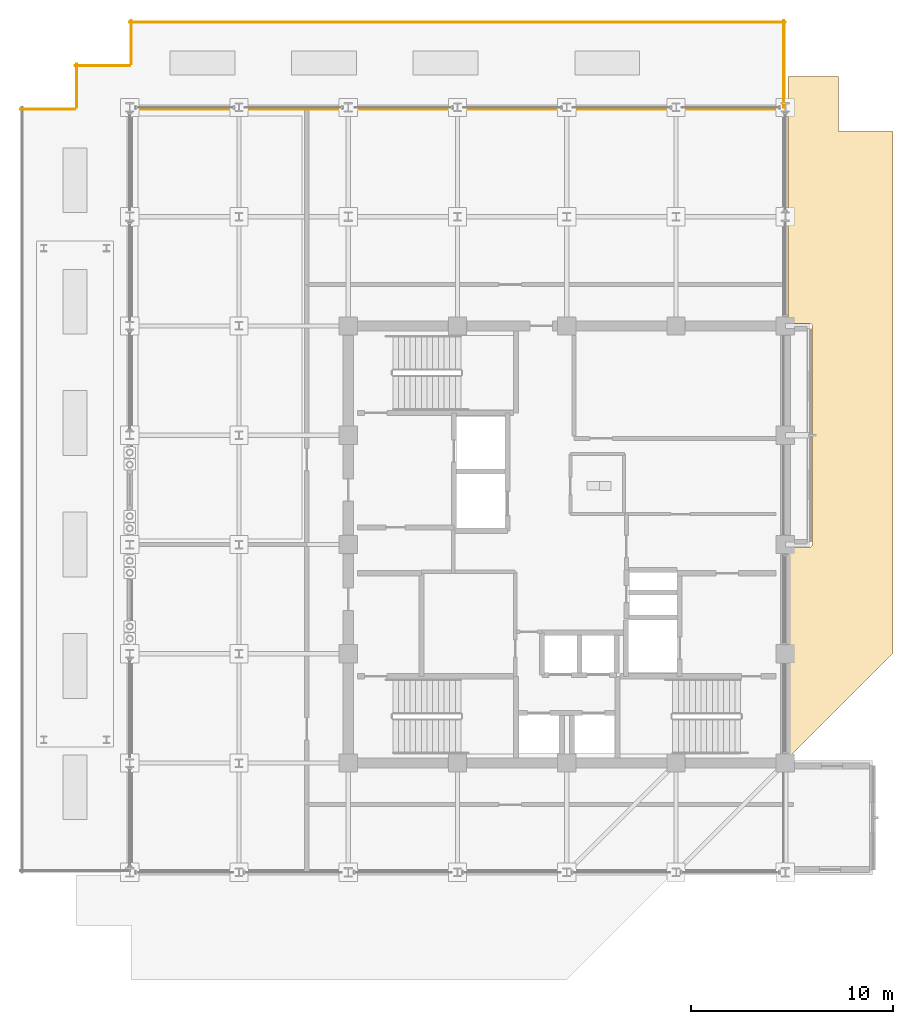
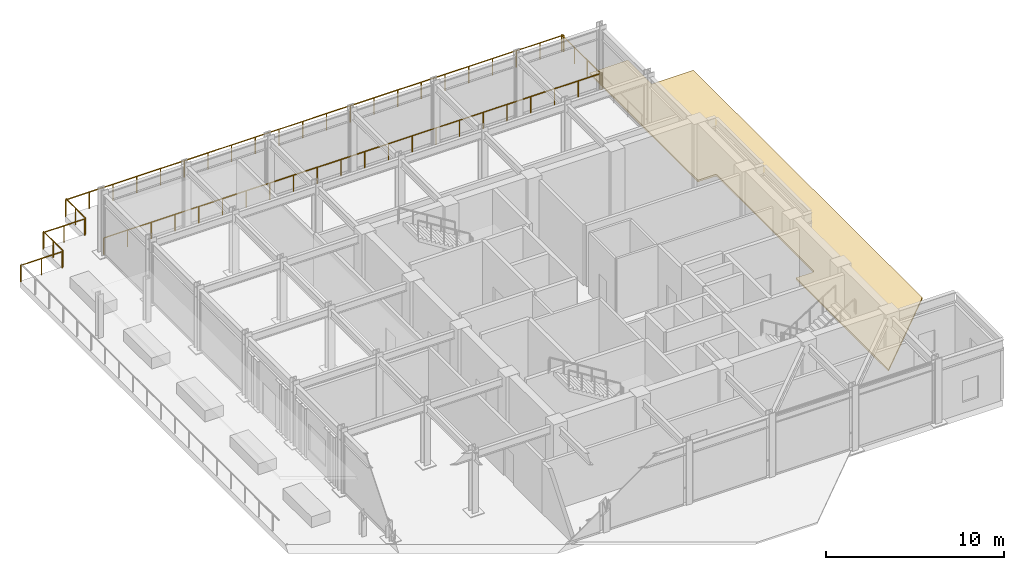
# One storey, part 20 of 22: 7 railings, 1 covering.
"""IFC4 building model written with IfcOpenShell, lengths in metres."""

from ifc_helpers import new_model, si_unit, direction, frame, origin, origin_2d, place, context, subcontext, project, spatial, polyline, circle, outline, extrude, material, layer, layer_set, type_object, element, save


model = new_model("IFC4")

# Units and contexts
model_context = context("Model", 3, precision=1e-05, world=origin(), true_north=direction((0.0, 1.0)))
body_context = subcontext(model_context, "Body", "Model", "MODEL_VIEW")
ifc_project = project(units=[si_unit("LENGTHUNIT", "METRE"), si_unit("AREAUNIT", "SQUARE_METRE"), si_unit("VOLUMEUNIT", "CUBIC_METRE"), si_unit("PLANEANGLEUNIT", "RADIAN"), si_unit("MASSUNIT", "GRAM", prefix="KILO")], contexts=[model_context])

# Site, building, storey
site_placement = place(None, origin())
site = spatial("IfcSite", under=ifc_project, at=site_placement, CompositionType="ELEMENT")
building_placement = place(site_placement, origin())
building = spatial("IfcBuilding", under=site, at=building_placement, Name="Surkhivell Harbour Commons", CompositionType="ELEMENT")
storey_placement = place(building_placement, frame((0.0, 0.0, 337.5)))
storey = spatial("IfcBuildingStorey", under=building, at=storey_placement, Name="L88", CompositionType="ELEMENT", Elevation=337.5)

# Covering
ifc_material_1 = material(Name="Inverted elastomeric waterproofing membrane and rigid insulation", Category="other")
ifc_layer = layer(ifc_material_1, 0.1201171875)
ifc_layer_set = layer_set([ifc_layer], Name="Inverted elastomeric waterproofing membrane and rigid insulation")
covering_type = type_object("IfcCoveringType", Name="COV-ROOF-MEM", PredefinedType="ROOFING", material=ifc_layer_set)
covering_placement = place(storey_placement, origin())
element("IfcCovering", 1, at=covering_placement, inside=storey, type_object=covering_type, Name="L88 Setback Waterproofing Roof Membrane 2-1", PredefinedType="ROOFING", context=body_context, shape_type="SweptSolid", body=[
    extrude(outline(polyline([(10.929931640625, 23.1201171875), (10.929931640625, 10.929931640625), (12.001953125, 10.929931640625), (12.0126953125, 10.929443359375), (12.025390625, 10.927490234375), (12.037841796875, 10.924560546875), (12.0498046875, 10.920166015625), (12.061279296875, 10.914794921875), (12.072265625, 10.908203125), (12.08251953125, 10.900634765625), (12.092041015625, 10.89208984375), (12.1005859375, 10.882568359375), (12.108154296875, 10.872314453125), (12.11474609375, 10.861328125), (12.1201171875, 10.849853515625), (12.12451171875, 10.837890625), (12.127685546875, 10.825439453125), (12.12939453125, 10.812744140625), (12.1298828125, 10.802001953125), (12.1298828125, -0.001953125), (12.12939453125, -0.0126953125), (12.127685546875, -0.025390625), (12.12451171875, -0.037841796875), (12.1201171875, -0.0498046875), (12.11474609375, -0.061279296875), (12.108154296875, -0.072265625), (12.1005859375, -0.08251953125), (12.092041015625, -0.092041015625), (12.08251953125, -0.1005859375), (12.072265625, -0.108154296875), (12.061279296875, -0.11474609375), (12.0498046875, -0.1201171875), (12.037841796875, -0.12451171875), (12.025390625, -0.127685546875), (12.0126953125, -0.12939453125), (12.001953125, -0.1298828125), (10.929931640625, -0.1298828125), (10.929931640625, -10.556884765625), (16.1201171875, -5.366943359375), (16.1201171875, 20.419921875), (13.419921875, 20.419921875), (13.419921875, 23.1201171875), (10.929931640625, 23.1201171875)])), origin(), (0.0, 0.0, 1.0), 0.1201171875),
])

# Railings
ifc_material_2 = material(Name="Laminated safety glass and stainless steel S355 balustrade", Category="steel")
railing_type = type_object("IfcRailingType", Name="RAL-BAL-1150", PredefinedType="BALUSTRADE", material=ifc_material_2)
railing_1_placement = place(storey_placement, frame((10.800048828125, 21.510009765625, 0.0)))
element("IfcRailing", 2, at=railing_1_placement, inside=storey, type_object=railing_type, Name="L88 Perimeter Safety Guard 03", PredefinedType="BALUSTRADE", context=body_context, shape_type="SweptSolid", body=[
    extrude(circle(Radius=0.02392578125, at=origin_2d()), frame((0.0, 0.0, 1.1259765625), z_axis=(-1.0, 0.0, 0.0), x_axis=(0.0, -1.0, 0.0)), (0.0, 0.0, 1.0), 32.400146484375),
    extrude(circle(Radius=0.02099609375, at=origin_2d()), origin(), (0.0, 0.0, 1.0), 1.101806640625),
    extrude(circle(Radius=0.02099609375, at=origin_2d()), frame((-1.54296875, 0.0, 0.0)), (0.0, 0.0, 1.0), 1.101806640625),
    extrude(circle(Radius=0.02099609375, at=origin_2d()), frame((-3.085693359375, 0.0, 0.0)), (0.0, 0.0, 1.0), 1.101806640625),
    extrude(circle(Radius=0.02099609375, at=origin_2d()), frame((-4.628662109375, 0.0, 0.0)), (0.0, 0.0, 1.0), 1.101806640625),
    extrude(circle(Radius=0.02099609375, at=origin_2d()), frame((-6.17138671875, 0.0, 0.0)), (0.0, 0.0, 1.0), 1.101806640625),
    extrude(circle(Radius=0.02099609375, at=origin_2d()), frame((-7.71435546875, 0.0, 0.0)), (0.0, 0.0, 1.0), 1.101806640625),
    extrude(circle(Radius=0.02099609375, at=origin_2d()), frame((-9.257080078125, 0.0, 0.0)), (0.0, 0.0, 1.0), 1.101806640625),
    extrude(circle(Radius=0.02099609375, at=origin_2d()), frame((-10.800048828125, 0.0, 0.0)), (0.0, 0.0, 1.0), 1.101806640625),
    extrude(circle(Radius=0.02099609375, at=origin_2d()), frame((-12.343017578125, 0.0, 0.0)), (0.0, 0.0, 1.0), 1.101806640625),
    extrude(circle(Radius=0.02099609375, at=origin_2d()), frame((-13.8857421875, 0.0, 0.0)), (0.0, 0.0, 1.0), 1.101806640625),
    extrude(circle(Radius=0.02099609375, at=origin_2d()), frame((-15.4287109375, 0.0, 0.0)), (0.0, 0.0, 1.0), 1.101806640625),
    extrude(circle(Radius=0.02099609375, at=origin_2d()), frame((-16.971435546875, 0.0, 0.0)), (0.0, 0.0, 1.0), 1.101806640625),
    extrude(circle(Radius=0.02099609375, at=origin_2d()), frame((-18.514404296875, 0.0, 0.0)), (0.0, 0.0, 1.0), 1.101806640625),
    extrude(circle(Radius=0.02099609375, at=origin_2d()), frame((-20.05712890625, 0.0, 0.0)), (0.0, 0.0, 1.0), 1.101806640625),
    extrude(circle(Radius=0.02099609375, at=origin_2d()), frame((-21.60009765625, 0.0, 0.0)), (0.0, 0.0, 1.0), 1.101806640625),
    extrude(circle(Radius=0.02099609375, at=origin_2d()), frame((-23.14306640625, 0.0, 0.0)), (0.0, 0.0, 1.0), 1.101806640625),
    extrude(circle(Radius=0.02099609375, at=origin_2d()), frame((-24.685791015625, 0.0, 0.0)), (0.0, 0.0, 1.0), 1.101806640625),
    extrude(circle(Radius=0.02099609375, at=origin_2d()), frame((-26.228759765625, 0.0, 0.0)), (0.0, 0.0, 1.0), 1.101806640625),
    extrude(circle(Radius=0.02099609375, at=origin_2d()), frame((-27.771484375, 0.0, 0.0)), (0.0, 0.0, 1.0), 1.101806640625),
    extrude(circle(Radius=0.02099609375, at=origin_2d()), frame((-29.314453125, 0.0, 0.0)), (0.0, 0.0, 1.0), 1.101806640625),
    extrude(circle(Radius=0.02099609375, at=origin_2d()), frame((-30.857177734375, 0.0, 0.0)), (0.0, 0.0, 1.0), 1.101806640625),
    extrude(circle(Radius=0.02099609375, at=origin_2d()), frame((-32.400146484375, 0.0, 0.0)), (0.0, 0.0, 1.0), 1.101806640625),
])
railing_2_placement = place(storey_placement, frame((10.719970703125, 21.60009765625, 0.0)))
element("IfcRailing", 3, at=railing_2_placement, inside=storey, type_object=railing_type, Name="L88 Crown Sky-Garden Balustrade 04", PredefinedType="BALUSTRADE", context=body_context, shape_type="SweptSolid", body=[
    extrude(circle(Radius=0.02392578125, at=origin_2d()), frame((0.0, 0.0, 1.1259765625), z_axis=(0.0, 1.0, 0.0), x_axis=(-1.0, 0.0, 0.0)), (0.0, 0.0, 1.0), 4.2998046875),
    extrude(circle(Radius=0.02099609375, at=origin_2d()), origin(), (0.0, 0.0, 1.0), 1.101806640625),
    extrude(circle(Radius=0.02099609375, at=origin_2d()), frame((0.0, 1.433349609375, 0.0)), (0.0, 0.0, 1.0), 1.101806640625),
    extrude(circle(Radius=0.02099609375, at=origin_2d()), frame((0.0, 2.866455078125, 0.0)), (0.0, 0.0, 1.0), 1.101806640625),
    extrude(circle(Radius=0.02099609375, at=origin_2d()), frame((0.0, 4.2998046875, 0.0)), (0.0, 0.0, 1.0), 1.101806640625),
])
railing_3_placement = place(storey_placement, frame((10.800048828125, 25.820068359375, 0.0)))
element("IfcRailing", 4, at=railing_3_placement, inside=storey, type_object=railing_type, Name="L88 Crown Sky-Garden Balustrade 05", PredefinedType="BALUSTRADE", context=body_context, shape_type="SweptSolid", body=[
    extrude(circle(Radius=0.02392578125, at=origin_2d()), frame((0.0, 0.0, 1.1259765625), z_axis=(-1.0, 0.0, 0.0), x_axis=(0.0, -1.0, 0.0)), (0.0, 0.0, 1.0), 32.400146484375),
    extrude(circle(Radius=0.02099609375, at=origin_2d()), origin(), (0.0, 0.0, 1.0), 1.101806640625),
    extrude(circle(Radius=0.02099609375, at=origin_2d()), frame((-1.54296875, 0.0, 0.0)), (0.0, 0.0, 1.0), 1.101806640625),
    extrude(circle(Radius=0.02099609375, at=origin_2d()), frame((-3.085693359375, 0.0, 0.0)), (0.0, 0.0, 1.0), 1.101806640625),
    extrude(circle(Radius=0.02099609375, at=origin_2d()), frame((-4.628662109375, 0.0, 0.0)), (0.0, 0.0, 1.0), 1.101806640625),
    extrude(circle(Radius=0.02099609375, at=origin_2d()), frame((-6.17138671875, 0.0, 0.0)), (0.0, 0.0, 1.0), 1.101806640625),
    extrude(circle(Radius=0.02099609375, at=origin_2d()), frame((-7.71435546875, 0.0, 0.0)), (0.0, 0.0, 1.0), 1.101806640625),
    extrude(circle(Radius=0.02099609375, at=origin_2d()), frame((-9.257080078125, 0.0, 0.0)), (0.0, 0.0, 1.0), 1.101806640625),
    extrude(circle(Radius=0.02099609375, at=origin_2d()), frame((-10.800048828125, 0.0, 0.0)), (0.0, 0.0, 1.0), 1.101806640625),
    extrude(circle(Radius=0.02099609375, at=origin_2d()), frame((-12.343017578125, 0.0, 0.0)), (0.0, 0.0, 1.0), 1.101806640625),
    extrude(circle(Radius=0.02099609375, at=origin_2d()), frame((-13.8857421875, 0.0, 0.0)), (0.0, 0.0, 1.0), 1.101806640625),
    extrude(circle(Radius=0.02099609375, at=origin_2d()), frame((-15.4287109375, 0.0, 0.0)), (0.0, 0.0, 1.0), 1.101806640625),
    extrude(circle(Radius=0.02099609375, at=origin_2d()), frame((-16.971435546875, 0.0, 0.0)), (0.0, 0.0, 1.0), 1.101806640625),
    extrude(circle(Radius=0.02099609375, at=origin_2d()), frame((-18.514404296875, 0.0, 0.0)), (0.0, 0.0, 1.0), 1.101806640625),
    extrude(circle(Radius=0.02099609375, at=origin_2d()), frame((-20.05712890625, 0.0, 0.0)), (0.0, 0.0, 1.0), 1.101806640625),
    extrude(circle(Radius=0.02099609375, at=origin_2d()), frame((-21.60009765625, 0.0, 0.0)), (0.0, 0.0, 1.0), 1.101806640625),
    extrude(circle(Radius=0.02099609375, at=origin_2d()), frame((-23.14306640625, 0.0, 0.0)), (0.0, 0.0, 1.0), 1.101806640625),
    extrude(circle(Radius=0.02099609375, at=origin_2d()), frame((-24.685791015625, 0.0, 0.0)), (0.0, 0.0, 1.0), 1.101806640625),
    extrude(circle(Radius=0.02099609375, at=origin_2d()), frame((-26.228759765625, 0.0, 0.0)), (0.0, 0.0, 1.0), 1.101806640625),
    extrude(circle(Radius=0.02099609375, at=origin_2d()), frame((-27.771484375, 0.0, 0.0)), (0.0, 0.0, 1.0), 1.101806640625),
    extrude(circle(Radius=0.02099609375, at=origin_2d()), frame((-29.314453125, 0.0, 0.0)), (0.0, 0.0, 1.0), 1.101806640625),
    extrude(circle(Radius=0.02099609375, at=origin_2d()), frame((-30.857177734375, 0.0, 0.0)), (0.0, 0.0, 1.0), 1.101806640625),
    extrude(circle(Radius=0.02099609375, at=origin_2d()), frame((-32.400146484375, 0.0, 0.0)), (0.0, 0.0, 1.0), 1.101806640625),
])
railing_4_placement = place(storey_placement, frame((-21.52001953125, 25.89990234375, 0.0)))
element("IfcRailing", 5, at=railing_4_placement, inside=storey, type_object=railing_type, Name="L88 Crown Sky-Garden Balustrade 06", PredefinedType="BALUSTRADE", context=body_context, shape_type="SweptSolid", body=[
    extrude(circle(Radius=0.02392578125, at=origin_2d()), frame((0.0, 0.0, 1.1259765625), z_axis=(0.0, -1.0, 0.0), x_axis=(1.0, 0.0, 0.0)), (0.0, 0.0, 1.0), 2.14990234375),
    extrude(circle(Radius=0.02099609375, at=origin_2d()), origin(), (0.0, 0.0, 1.0), 1.101806640625),
    extrude(circle(Radius=0.02099609375, at=origin_2d()), frame((0.0, -1.074951171875, 0.0)), (0.0, 0.0, 1.0), 1.101806640625),
    extrude(circle(Radius=0.02099609375, at=origin_2d()), frame((0.0, -2.14990234375, 0.0)), (0.0, 0.0, 1.0), 1.101806640625),
])
railing_5_placement = place(storey_placement, frame((-21.60009765625, 23.669921875, 0.0)))
element("IfcRailing", 6, at=railing_5_placement, inside=storey, type_object=railing_type, Name="L88 Crown Sky-Garden Balustrade 07", PredefinedType="BALUSTRADE", context=body_context, shape_type="SweptSolid", body=[
    extrude(circle(Radius=0.02392578125, at=origin_2d()), frame((0.0, 0.0, 1.1259765625), z_axis=(-1.0, 0.0, 0.0), x_axis=(0.0, -1.0, 0.0)), (0.0, 0.0, 1.0), 2.699951171875),
    extrude(circle(Radius=0.02099609375, at=origin_2d()), origin(), (0.0, 0.0, 1.0), 1.101806640625),
    extrude(circle(Radius=0.02099609375, at=origin_2d()), frame((-1.35009765625, 0.0, 0.0)), (0.0, 0.0, 1.0), 1.101806640625),
    extrude(circle(Radius=0.02099609375, at=origin_2d()), frame((-2.699951171875, 0.0, 0.0)), (0.0, 0.0, 1.0), 1.101806640625),
])
railing_6_placement = place(storey_placement, frame((-24.219970703125, 23.75, 0.0)))
element("IfcRailing", 7, at=railing_6_placement, inside=storey, type_object=railing_type, Name="L88 Crown Sky-Garden Balustrade 08", PredefinedType="BALUSTRADE", context=body_context, shape_type="SweptSolid", body=[
    extrude(circle(Radius=0.02392578125, at=origin_2d()), frame((0.0, 0.0, 1.1259765625), z_axis=(0.0, -1.0, 0.0), x_axis=(1.0, 0.0, 0.0)), (0.0, 0.0, 1.0), 2.14990234375),
    extrude(circle(Radius=0.02099609375, at=origin_2d()), origin(), (0.0, 0.0, 1.0), 1.101806640625),
    extrude(circle(Radius=0.02099609375, at=origin_2d()), frame((0.0, -1.074951171875, 0.0)), (0.0, 0.0, 1.0), 1.101806640625),
    extrude(circle(Radius=0.02099609375, at=origin_2d()), frame((0.0, -2.14990234375, 0.0)), (0.0, 0.0, 1.0), 1.101806640625),
])
railing_7_placement = place(storey_placement, frame((-24.300048828125, 21.52001953125, 0.0)))
element("IfcRailing", 8, at=railing_7_placement, inside=storey, type_object=railing_type, Name="L88 Crown Sky-Garden Balustrade 09", PredefinedType="BALUSTRADE", context=body_context, shape_type="SweptSolid", body=[
    extrude(circle(Radius=0.02392578125, at=origin_2d()), frame((0.0, 0.0, 1.1259765625), z_axis=(-1.0, 0.0, 0.0), x_axis=(0.0, -1.0, 0.0)), (0.0, 0.0, 1.0), 2.699951171875),
    extrude(circle(Radius=0.02099609375, at=origin_2d()), origin(), (0.0, 0.0, 1.0), 1.101806640625),
    extrude(circle(Radius=0.02099609375, at=origin_2d()), frame((-1.35009765625, 0.0, 0.0)), (0.0, 0.0, 1.0), 1.101806640625),
    extrude(circle(Radius=0.02099609375, at=origin_2d()), frame((-2.699951171875, 0.0, 0.0)), (0.0, 0.0, 1.0), 1.101806640625),
])

save(model, "model.ifc")
